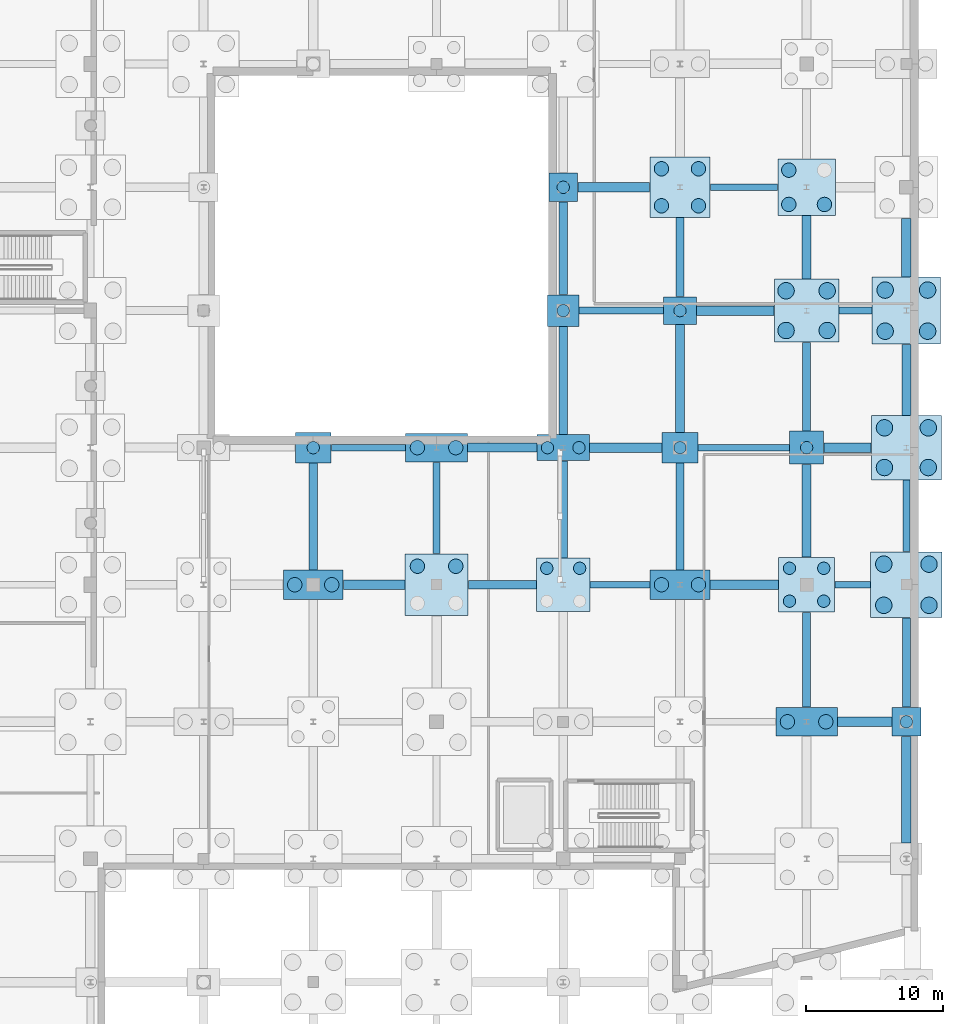
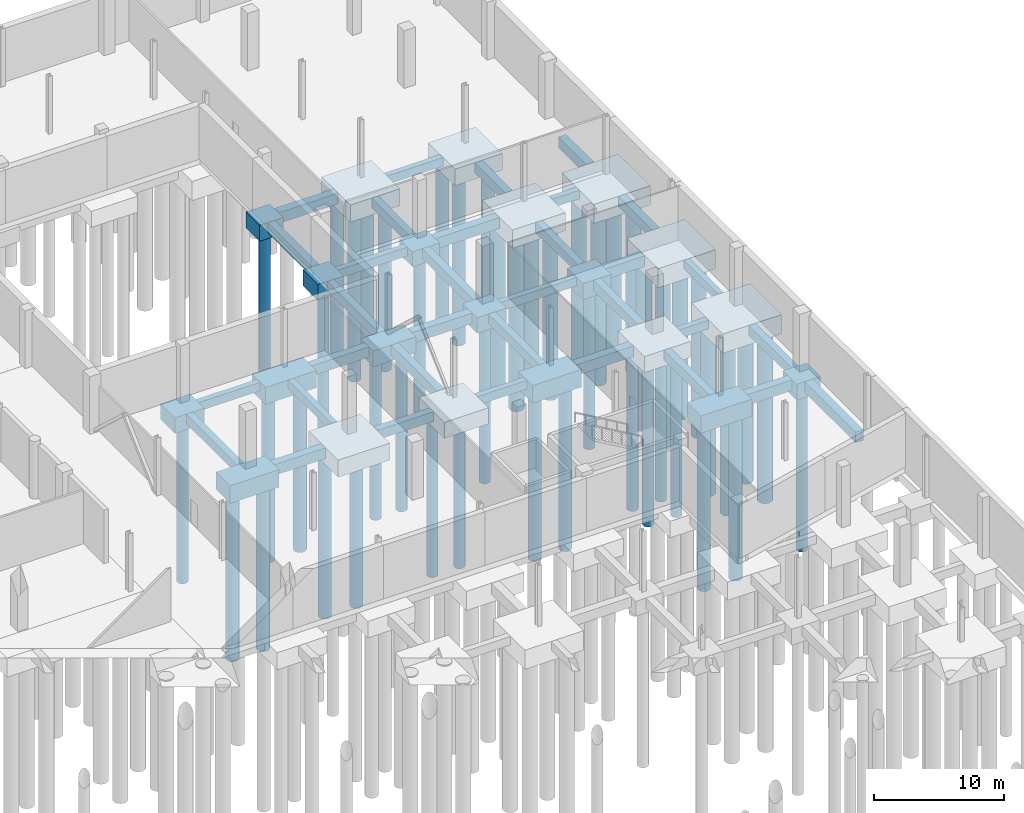
# One storey, part 13 of 60: 54 footings, 48 piles.
"""IFC4 building model written with IfcOpenShell, lengths in metres."""

from ifc_helpers import new_model, si_unit, direction, frame, origin, origin_2d, place, context, subcontext, project, spatial, rectangle, circle, extrude, material, material_profile, profile_set, type_object, element, save


model = new_model("IFC4")

# Units and contexts
model_context = context("Model", 3, precision=1e-05, world=origin(), true_north=direction((0.0, 1.0)))
body_context = subcontext(model_context, "Body", "Model", "MODEL_VIEW")
ifc_project = project(units=[si_unit("LENGTHUNIT", "METRE"), si_unit("AREAUNIT", "SQUARE_METRE"), si_unit("VOLUMEUNIT", "CUBIC_METRE"), si_unit("PLANEANGLEUNIT", "RADIAN"), si_unit("MASSUNIT", "GRAM", prefix="KILO")], contexts=[model_context])

# Site, building, storey
site_placement = place(None, origin())
site = spatial("IfcSite", under=ifc_project, at=site_placement, CompositionType="ELEMENT")
building_placement = place(site_placement, origin())
building = spatial("IfcBuilding", under=site, at=building_placement, Name="Trimount Lyric Opera House", CompositionType="ELEMENT")
storey_placement = place(building_placement, frame((0.0, 0.0, -5.39990234375)))
storey = spatial("IfcBuildingStorey", under=building, at=storey_placement, Name="B1", CompositionType="ELEMENT", Elevation=-5.39990234375)

# Footings
ifc_material_1 = material(Name="Concrete C40/50", Category="concrete")
footing_type_1 = type_object("IfcFootingType", Name="FB-01", PredefinedType="FOOTING_BEAM", material=ifc_material_1)
footing_1_placement = place(storey_placement, frame((134.4375, 64.0, -1.60009765625), z_axis=(0.0, 0.0, 1.0), x_axis=(1.0, 0.0, 0.0)))
element("IfcFooting", 1, at=footing_1_placement, inside=storey, type_object=footing_type_1, Name="Ground tie beam X-0324", PredefinedType="FOOTING_BEAM", context=body_context, shape_type="SweptSolid", body=[
    extrude(rectangle(XDim=4.4951171875, YDim=0.699951171875, at=origin_2d()), origin(), (0.0, 0.0, 1.0), 1.0),
])
footing_2_placement = place(storey_placement, frame((152.800048828125, 74.0, -1.60009765625), z_axis=(0.0, 0.0, 1.0), x_axis=(1.0, 0.0, 0.0)))
element("IfcFooting", 2, at=footing_2_placement, inside=storey, type_object=footing_type_1, Name="Ground tie beam X-0368", PredefinedType="FOOTING_BEAM", context=body_context, shape_type="SweptSolid", body=[
    extrude(rectangle(XDim=5.2900390625, YDim=0.699951171875, at=origin_2d()), origin(), (0.0, 0.0, 1.0), 1.0),
])
footing_3_placement = place(storey_placement, frame((151.925048828125, 93.0, -1.60009765625), z_axis=(0.0, 0.0, 1.0), x_axis=(1.0, 0.0, 0.0)))
element("IfcFooting", 3, at=footing_3_placement, inside=storey, type_object=footing_type_1, Name="Ground tie beam X-0372", PredefinedType="FOOTING_BEAM", context=body_context, shape_type="SweptSolid", body=[
    extrude(rectangle(XDim=5.239990234375, YDim=0.699951171875, at=origin_2d()), origin(), (0.0, 0.0, 1.0), 1.0),
])
footing_4_placement = place(storey_placement, frame((161.4423828125, 64.0, -1.60009765625), z_axis=(0.0, 0.0, 1.0), x_axis=(1.0, 0.0, 0.0)))
element("IfcFooting", 4, at=footing_4_placement, inside=storey, type_object=footing_type_1, Name="Ground tie beam X-0392", PredefinedType="FOOTING_BEAM", context=body_context, shape_type="SweptSolid", body=[
    extrude(rectangle(XDim=4.985107421875, YDim=0.699951171875, at=origin_2d()), origin(), (0.0, 0.0, 1.0), 1.0),
])
footing_5_placement = place(storey_placement, frame((160.804931640625, 84.0, -1.60009765625), z_axis=(0.0, 0.0, 1.0), x_axis=(1.0, 0.0, 0.0)))
element("IfcFooting", 5, at=footing_5_placement, inside=storey, type_object=footing_type_1, Name="Ground tie beam X-0396", PredefinedType="FOOTING_BEAM", context=body_context, shape_type="SweptSolid", body=[
    extrude(rectangle(XDim=5.659912109375, YDim=0.699951171875, at=origin_2d()), origin(), (0.0, 0.0, 1.0), 1.0),
])
footing_6_placement = place(storey_placement, frame((170.239990234375, 54.0, -1.60009765625), z_axis=(0.0, 0.0, 1.0), x_axis=(1.0, 0.0, 0.0)))
element("IfcFooting", 6, at=footing_6_placement, inside=storey, type_object=footing_type_1, Name="Ground tie beam X-0416", PredefinedType="FOOTING_BEAM", context=body_context, shape_type="SweptSolid", body=[
    extrude(rectangle(XDim=3.949951171875, YDim=0.699951171875, at=origin_2d()), origin(), (0.0, 0.0, 1.0), 1.0),
])
footing_7_placement = place(storey_placement, frame((168.989990234375, 74.0, -1.60009765625), z_axis=(0.0, 0.0, 1.0), x_axis=(1.0, 0.0, 0.0)))
element("IfcFooting", 7, at=footing_7_placement, inside=storey, type_object=footing_type_1, Name="Ground tie beam X-0420", PredefinedType="FOOTING_BEAM", context=body_context, shape_type="SweptSolid", body=[
    extrude(rectangle(XDim=3.449951171875, YDim=0.699951171875, at=origin_2d()), origin(), (0.0, 0.0, 1.0), 1.0),
])
footing_8_placement = place(storey_placement, frame((173.280029296875, 49.050048828125, -1.60009765625), z_axis=(0.0, 0.0, 1.0), x_axis=(1.0, 0.0, 0.0)))
element("IfcFooting", 8, at=footing_8_placement, inside=storey, type_object=footing_type_1, Name="Ground tie beam Y-0432", PredefinedType="FOOTING_BEAM", context=body_context, shape_type="SweptSolid", body=[
    extrude(rectangle(XDim=0.699951171875, YDim=7.77001953125, at=origin_2d()), origin(), (0.0, 0.0, 1.0), 1.0),
])
footing_9_placement = place(storey_placement, frame((173.280029296875, 88.60009765625, -1.60009765625), z_axis=(0.0, 0.0, 1.0), x_axis=(1.0, 0.0, 0.0)))
element("IfcFooting", 9, at=footing_9_placement, inside=storey, type_object=footing_type_1, Name="Ground tie beam Y-0436", PredefinedType="FOOTING_BEAM", context=body_context, shape_type="SweptSolid", body=[
    extrude(rectangle(XDim=0.699951171875, YDim=4.27001953125, at=origin_2d()), origin(), (0.0, 0.0, 1.0), 1.0),
])
ifc_material_2 = material(Name="Concrete C40/50", Category="concrete")
footing_type_2 = type_object("IfcFootingType", Name="FB-02", PredefinedType="FOOTING_BEAM", material=ifc_material_2)
footing_10_placement = place(storey_placement, frame((130.0, 68.987548828125, -1.5), z_axis=(0.0, 0.0, 1.0), x_axis=(1.0, 0.0, 0.0)))
element("IfcFooting", 10, at=footing_10_placement, inside=storey, type_object=footing_type_2, Name="Ground tie beam Y-0325", PredefinedType="FOOTING_BEAM", context=body_context, shape_type="SweptSolid", body=[
    extrude(rectangle(XDim=0.60009765625, YDim=7.794921875, at=origin_2d()), origin(), (0.0, 0.0, 1.0), 0.89990234375),
])
footing_11_placement = place(storey_placement, frame((143.794921875, 64.0, -1.5), z_axis=(0.0, 0.0, 1.0), x_axis=(1.0, 0.0, 0.0)))
element("IfcFooting", 11, at=footing_11_placement, inside=storey, type_object=footing_type_2, Name="Ground tie beam X-0345", PredefinedType="FOOTING_BEAM", context=body_context, shape_type="SweptSolid", body=[
    extrude(rectangle(XDim=4.9599609375, YDim=0.60009765625, at=origin_2d()), origin(), (0.0, 0.0, 1.0), 0.89990234375),
])
footing_12_placement = place(storey_placement, frame((148.239990234375, 78.89990234375, -1.5), z_axis=(0.0, 0.0, 1.0), x_axis=(1.0, 0.0, 0.0)))
element("IfcFooting", 12, at=footing_12_placement, inside=storey, type_object=footing_type_2, Name="Ground tie beam Y-0369", PredefinedType="FOOTING_BEAM", context=body_context, shape_type="SweptSolid", body=[
    extrude(rectangle(XDim=0.60009765625, YDim=7.8701171875, at=origin_2d()), origin(), (0.0, 0.0, 1.0), 0.89990234375),
])
footing_13_placement = place(storey_placement, frame((156.760009765625, 68.987548828125, -1.5), z_axis=(0.0, 0.0, 1.0), x_axis=(1.0, 0.0, 0.0)))
element("IfcFooting", 13, at=footing_13_placement, inside=storey, type_object=footing_type_2, Name="Ground tie beam Y-0393", PredefinedType="FOOTING_BEAM", context=body_context, shape_type="SweptSolid", body=[
    extrude(rectangle(XDim=0.60009765625, YDim=7.794921875, at=origin_2d()), origin(), (0.0, 0.0, 1.0), 0.89990234375),
])
footing_14_placement = place(storey_placement, frame((156.760009765625, 87.89990234375, -1.5), z_axis=(0.0, 0.0, 1.0), x_axis=(1.0, 0.0, 0.0)))
element("IfcFooting", 14, at=footing_14_placement, inside=storey, type_object=footing_type_2, Name="Ground tie beam Y-0397", PredefinedType="FOOTING_BEAM", context=body_context, shape_type="SweptSolid", body=[
    extrude(rectangle(XDim=0.60009765625, YDim=5.77001953125, at=origin_2d()), origin(), (0.0, 0.0, 1.0), 0.89990234375),
])
footing_15_placement = place(storey_placement, frame((166.0, 58.52490234375, -1.5), z_axis=(0.0, 0.0, 1.0), x_axis=(1.0, 0.0, 0.0)))
element("IfcFooting", 15, at=footing_15_placement, inside=storey, type_object=footing_type_2, Name="Ground tie beam Y-0417", PredefinedType="FOOTING_BEAM", context=body_context, shape_type="SweptSolid", body=[
    extrude(rectangle(XDim=0.60009765625, YDim=6.919921875, at=origin_2d()), origin(), (0.0, 0.0, 1.0), 0.89990234375),
])
footing_16_placement = place(storey_placement, frame((166.0, 78.449951171875, -1.5), z_axis=(0.0, 0.0, 1.0), x_axis=(1.0, 0.0, 0.0)))
element("IfcFooting", 16, at=footing_16_placement, inside=storey, type_object=footing_type_2, Name="Ground tie beam Y-0421", PredefinedType="FOOTING_BEAM", context=body_context, shape_type="SweptSolid", body=[
    extrude(rectangle(XDim=0.60009765625, YDim=6.469970703125, at=origin_2d()), origin(), (0.0, 0.0, 1.0), 0.89990234375),
])
footing_17_placement = place(storey_placement, frame((173.280029296875, 58.324951171875, -1.5), z_axis=(0.0, 0.0, 1.0), x_axis=(1.0, 0.0, 0.0)))
element("IfcFooting", 17, at=footing_17_placement, inside=storey, type_object=footing_type_2, Name="Ground tie beam Y-0433", PredefinedType="FOOTING_BEAM", context=body_context, shape_type="SweptSolid", body=[
    extrude(rectangle(XDim=0.60009765625, YDim=6.52001953125, at=origin_2d()), origin(), (0.0, 0.0, 1.0), 0.89990234375),
])
ifc_material_3 = material(Name="Concrete C40/50", Category="concrete")
footing_type_3 = type_object("IfcFootingType", Name="FB-03", PredefinedType="FOOTING_BEAM", material=ifc_material_3)
footing_18_placement = place(storey_placement, frame((134.02490234375, 74.0, -1.39990234375), z_axis=(0.0, 0.0, 1.0), x_axis=(1.0, 0.0, 0.0)))
element("IfcFooting", 18, at=footing_18_placement, inside=storey, type_object=footing_type_3, Name="Ground tie beam X-0326", PredefinedType="FOOTING_BEAM", context=body_context, shape_type="SweptSolid", body=[
    extrude(rectangle(XDim=5.419921875, YDim=0.5, at=origin_2d()), origin(), (0.0, 0.0, 1.0), 0.800048828125),
])
footing_19_placement = place(storey_placement, frame((139.0, 69.60009765625, -1.39990234375), z_axis=(0.0, 0.0, 1.0), x_axis=(1.0, 0.0, 0.0)))
element("IfcFooting", 19, at=footing_19_placement, inside=storey, type_object=footing_type_3, Name="Ground tie beam Y-0346", PredefinedType="FOOTING_BEAM", context=body_context, shape_type="SweptSolid", body=[
    extrude(rectangle(XDim=0.5, YDim=6.669921875, at=origin_2d()), origin(), (0.0, 0.0, 1.0), 0.800048828125),
])
footing_20_placement = place(storey_placement, frame((152.387451171875, 64.0, -1.39990234375), z_axis=(0.0, 0.0, 1.0), x_axis=(1.0, 0.0, 0.0)))
element("IfcFooting", 20, at=footing_20_placement, inside=storey, type_object=footing_type_3, Name="Ground tie beam X-0366", PredefinedType="FOOTING_BEAM", context=body_context, shape_type="SweptSolid", body=[
    extrude(rectangle(XDim=4.364990234375, YDim=0.5, at=origin_2d()), origin(), (0.0, 0.0, 1.0), 0.800048828125),
])
footing_21_placement = place(storey_placement, frame((152.47509765625, 84.0, -1.39990234375), z_axis=(0.0, 0.0, 1.0), x_axis=(1.0, 0.0, 0.0)))
element("IfcFooting", 21, at=footing_21_placement, inside=storey, type_object=footing_type_3, Name="Ground tie beam X-0370", PredefinedType="FOOTING_BEAM", context=body_context, shape_type="SweptSolid", body=[
    extrude(rectangle(XDim=6.139892578125, YDim=0.5, at=origin_2d()), origin(), (0.0, 0.0, 1.0), 0.800048828125),
])
footing_22_placement = place(storey_placement, frame((161.405029296875, 74.0, -1.39990234375), z_axis=(0.0, 0.0, 1.0), x_axis=(1.0, 0.0, 0.0)))
element("IfcFooting", 22, at=footing_22_placement, inside=storey, type_object=footing_type_3, Name="Ground tie beam X-0394", PredefinedType="FOOTING_BEAM", context=body_context, shape_type="SweptSolid", body=[
    extrude(rectangle(XDim=6.659912109375, YDim=0.5, at=origin_2d()), origin(), (0.0, 0.0, 1.0), 0.800048828125),
])
footing_23_placement = place(storey_placement, frame((161.429931640625, 93.0, -1.39990234375), z_axis=(0.0, 0.0, 1.0), x_axis=(1.0, 0.0, 0.0)))
element("IfcFooting", 23, at=footing_23_placement, inside=storey, type_object=footing_type_3, Name="Ground tie beam X-0398", PredefinedType="FOOTING_BEAM", context=body_context, shape_type="SweptSolid", body=[
    extrude(rectangle(XDim=4.909912109375, YDim=0.5, at=origin_2d()), origin(), (0.0, 0.0, 1.0), 0.800048828125),
])
footing_24_placement = place(storey_placement, frame((169.364990234375, 64.0, -1.39990234375), z_axis=(0.0, 0.0, 1.0), x_axis=(1.0, 0.0, 0.0)))
element("IfcFooting", 24, at=footing_24_placement, inside=storey, type_object=footing_type_3, Name="Ground tie beam X-0418", PredefinedType="FOOTING_BEAM", context=body_context, shape_type="SweptSolid", body=[
    extrude(rectangle(XDim=2.60009765625, YDim=0.5, at=origin_2d()), origin(), (0.0, 0.0, 1.0), 0.800048828125),
])
footing_25_placement = place(storey_placement, frame((169.56494140625, 84.0, -1.39990234375), z_axis=(0.0, 0.0, 1.0), x_axis=(1.0, 0.0, 0.0)))
element("IfcFooting", 25, at=footing_25_placement, inside=storey, type_object=footing_type_3, Name="Ground tie beam X-0422", PredefinedType="FOOTING_BEAM", context=body_context, shape_type="SweptSolid", body=[
    extrude(rectangle(XDim=2.39990234375, YDim=0.5, at=origin_2d()), origin(), (0.0, 0.0, 1.0), 0.800048828125),
])
footing_26_placement = place(storey_placement, frame((173.280029296875, 69.02490234375, -1.39990234375), z_axis=(0.0, 0.0, 1.0), x_axis=(1.0, 0.0, 0.0)))
element("IfcFooting", 26, at=footing_26_placement, inside=storey, type_object=footing_type_3, Name="Ground tie beam Y-0434", PredefinedType="FOOTING_BEAM", context=body_context, shape_type="SweptSolid", body=[
    extrude(rectangle(XDim=0.5, YDim=5.219970703125, at=origin_2d()), origin(), (0.0, 0.0, 1.0), 0.800048828125),
])
ifc_material_4 = material(Name="Concrete C40/50", Category="concrete")
footing_type_4 = type_object("IfcFootingType", Name="FB-04", PredefinedType="FOOTING_BEAM", material=ifc_material_4)
footing_27_placement = place(storey_placement, frame((143.794921875, 74.0, -1.55029296875), z_axis=(0.0, 0.0, 1.0), x_axis=(1.0, 0.0, 0.0)))
element("IfcFooting", 27, at=footing_27_placement, inside=storey, type_object=footing_type_4, Name="Ground tie beam X-0347", PredefinedType="FOOTING_BEAM", context=body_context, shape_type="SweptSolid", body=[
    extrude(rectangle(XDim=5.06005859375, YDim=0.64990234375, at=origin_2d()), origin(), (0.0, 0.0, 1.0), 0.949951171875),
])
footing_28_placement = place(storey_placement, frame((148.239990234375, 69.5, -1.55029296875), z_axis=(0.0, 0.0, 1.0), x_axis=(1.0, 0.0, 0.0)))
element("IfcFooting", 28, at=footing_28_placement, inside=storey, type_object=footing_type_4, Name="Ground tie beam Y-0367", PredefinedType="FOOTING_BEAM", context=body_context, shape_type="SweptSolid", body=[
    extrude(rectangle(XDim=0.64990234375, YDim=7.070068359375, at=origin_2d()), origin(), (0.0, 0.0, 1.0), 0.949951171875),
])
footing_29_placement = place(storey_placement, frame((148.239990234375, 88.550048828125, -1.55029296875), z_axis=(0.0, 0.0, 1.0), x_axis=(1.0, 0.0, 0.0)))
element("IfcFooting", 29, at=footing_29_placement, inside=storey, type_object=footing_type_4, Name="Ground tie beam Y-0371", PredefinedType="FOOTING_BEAM", context=body_context, shape_type="SweptSolid", body=[
    extrude(rectangle(XDim=0.64990234375, YDim=6.77001953125, at=origin_2d()), origin(), (0.0, 0.0, 1.0), 0.949951171875),
])
footing_30_placement = place(storey_placement, frame((156.760009765625, 79.050048828125, -1.55029296875), z_axis=(0.0, 0.0, 1.0), x_axis=(1.0, 0.0, 0.0)))
element("IfcFooting", 30, at=footing_30_placement, inside=storey, type_object=footing_type_4, Name="Ground tie beam Y-0395", PredefinedType="FOOTING_BEAM", context=body_context, shape_type="SweptSolid", body=[
    extrude(rectangle(XDim=0.64990234375, YDim=7.8701171875, at=origin_2d()), origin(), (0.0, 0.0, 1.0), 0.949951171875),
])
footing_31_placement = place(storey_placement, frame((166.0, 69.39990234375, -1.55029296875), z_axis=(0.0, 0.0, 1.0), x_axis=(1.0, 0.0, 0.0)))
element("IfcFooting", 31, at=footing_31_placement, inside=storey, type_object=footing_type_4, Name="Ground tie beam Y-0419", PredefinedType="FOOTING_BEAM", context=body_context, shape_type="SweptSolid", body=[
    extrude(rectangle(XDim=0.64990234375, YDim=6.77001953125, at=origin_2d()), origin(), (0.0, 0.0, 1.0), 0.949951171875),
])
footing_32_placement = place(storey_placement, frame((166.0, 88.625, -1.55029296875), z_axis=(0.0, 0.0, 1.0), x_axis=(1.0, 0.0, 0.0)))
element("IfcFooting", 32, at=footing_32_placement, inside=storey, type_object=footing_type_4, Name="Ground tie beam Y-0423", PredefinedType="FOOTING_BEAM", context=body_context, shape_type="SweptSolid", body=[
    extrude(rectangle(XDim=0.64990234375, YDim=4.6201171875, at=origin_2d()), origin(), (0.0, 0.0, 1.0), 0.949951171875),
])
footing_33_placement = place(storey_placement, frame((173.280029296875, 78.949951171875, -1.55029296875), z_axis=(0.0, 0.0, 1.0), x_axis=(1.0, 0.0, 0.0)))
element("IfcFooting", 33, at=footing_33_placement, inside=storey, type_object=footing_type_4, Name="Ground tie beam Y-0435", PredefinedType="FOOTING_BEAM", context=body_context, shape_type="SweptSolid", body=[
    extrude(rectangle(XDim=0.64990234375, YDim=5.169921875, at=origin_2d()), origin(), (0.0, 0.0, 1.0), 0.949951171875),
])
ifc_material_5 = material(Name="Concrete C40/50", Category="concrete")
footing_type_5 = type_object("IfcFootingType", Name="PC-04", PredefinedType="PILE_CAP", material=ifc_material_5)
footing_34_placement = place(storey_placement, frame((156.760009765625, 93.0, -2.2001953125), z_axis=(0.0, 0.0, 1.0), x_axis=(1.0, 0.0, 0.0)))
element("IfcFooting", 34, at=footing_34_placement, inside=storey, type_object=footing_type_5, Name="Pile cap 18/L", PredefinedType="PILE_CAP", context=body_context, shape_type="SweptSolid", body=[
    extrude(rectangle(XDim=4.39990234375, YDim=4.39990234375, at=origin_2d()), origin(), (0.0, 0.0, 1.0), 1.60009765625),
])
ifc_material_6 = material(Name="Concrete C40/50", Category="concrete")
footing_type_6 = type_object("IfcFootingType", Name="PC-06", PredefinedType="PILE_CAP", material=ifc_material_6)
footing_35_placement = place(storey_placement, frame((148.239990234375, 64.0, -2.10009765625), z_axis=(0.0, 0.0, 1.0), x_axis=(1.0, 0.0, 0.0)))
element("IfcFooting", 35, at=footing_35_placement, inside=storey, type_object=footing_type_6, Name="Pile cap 17/H", PredefinedType="PILE_CAP", context=body_context, shape_type="SweptSolid", body=[
    extrude(rectangle(XDim=3.89990234375, YDim=3.89990234375, at=origin_2d()), origin(), (0.0, 0.0, 1.0), 1.5),
])
ifc_material_7 = material(Name="Concrete C40/50", Category="concrete")
footing_type_7 = type_object("IfcFootingType", Name="PC-07", PredefinedType="PILE_CAP", material=ifc_material_7)
footing_36_placement = place(storey_placement, frame((148.239990234375, 74.0, -2.10009765625), z_axis=(0.0, 0.0, 1.0), x_axis=(1.0, 0.0, 0.0)))
element("IfcFooting", 36, at=footing_36_placement, inside=storey, type_object=footing_type_7, Name="Pile cap 17/J", PredefinedType="PILE_CAP", context=body_context, shape_type="SweptSolid", body=[
    extrude(rectangle(XDim=3.800048828125, YDim=1.89990234375, at=origin_2d()), origin(), (0.0, 0.0, 1.0), 1.5),
])
ifc_material_8 = material(Name="Concrete C40/50", Category="concrete")
footing_type_8 = type_object("IfcFootingType", Name="PC-08", PredefinedType="PILE_CAP", material=ifc_material_8)
footing_37_placement = place(storey_placement, frame((148.239990234375, 84.0, -2.10009765625), z_axis=(0.0, 0.0, 1.0), x_axis=(1.0, 0.0, 0.0)))
element("IfcFooting", 37, at=footing_37_placement, inside=storey, type_object=footing_type_8, Name="Pile cap 17/K", PredefinedType="PILE_CAP", context=body_context, shape_type="SweptSolid", body=[
    extrude(rectangle(XDim=2.300048828125, YDim=2.300048828125, at=origin_2d()), origin(), (0.0, 0.0, 1.0), 1.5),
])
ifc_material_9 = material(Name="Concrete C40/50", Category="concrete")
footing_type_9 = type_object("IfcFootingType", Name="PC-09", PredefinedType="PILE_CAP", material=ifc_material_9)
for number, where, z_axis, x_axis, name in (
    (38, (148.239990234375, 93.0, -2.10009765625), (0.0, 0.0, 1.0), (1.0, 0.0, 0.0), "Pile cap 17/L"),
    (39, (173.280029296875, 54.0, -2.10009765625), (0.0, 0.0, 1.0), (1.0, 0.0, 0.0), "Pile cap 20/G"),
):
    element("IfcFooting", number, at=place(storey_placement, frame(where, z_axis=z_axis, x_axis=x_axis)), inside=storey, type_object=footing_type_9, Name=name, PredefinedType="PILE_CAP", context=body_context, shape_type="SweptSolid", body=[
        extrude(rectangle(XDim=2.10009765625, YDim=2.10009765625, at=origin_2d()), origin(), (0.0, 0.0, 1.0), 1.5),
    ])
ifc_material_10 = material(Name="Concrete C40/50", Category="concrete")
footing_type_10 = type_object("IfcFootingType", Name="PC-10", PredefinedType="PILE_CAP", material=ifc_material_10)
footing_38_placement = place(storey_placement, frame((173.280029296875, 64.0, -2.39990234375), z_axis=(0.0, 0.0, 1.0), x_axis=(1.0, 0.0, 0.0)))
element("IfcFooting", 40, at=footing_38_placement, inside=storey, type_object=footing_type_10, Name="Pile cap 20/H", PredefinedType="PILE_CAP", context=body_context, shape_type="SweptSolid", body=[
    extrude(rectangle(XDim=5.199951171875, YDim=4.800048828125, at=origin_2d()), origin(), (0.0, 0.0, 1.0), 1.800048828125),
])
ifc_material_11 = material(Name="Concrete C40/50", Category="concrete")
footing_type_11 = type_object("IfcFootingType", Name="PC-11", PredefinedType="PILE_CAP", material=ifc_material_11)
footing_39_placement = place(storey_placement, frame((173.280029296875, 74.0, -2.39990234375), z_axis=(0.0, 0.0, 1.0), x_axis=(1.0, 0.0, 0.0)))
element("IfcFooting", 41, at=footing_39_placement, inside=storey, type_object=footing_type_11, Name="Pile cap 20/J", PredefinedType="PILE_CAP", context=body_context, shape_type="SweptSolid", body=[
    extrude(rectangle(XDim=5.10009765625, YDim=4.699951171875, at=origin_2d()), origin(), (0.0, 0.0, 1.0), 1.800048828125),
])
ifc_material_12 = material(Name="Concrete C40/50", Category="concrete")
footing_type_12 = type_object("IfcFootingType", Name="PC-12", PredefinedType="PILE_CAP", material=ifc_material_12)
footing_40_placement = place(storey_placement, frame((173.280029296875, 84.0, -2.39990234375), z_axis=(0.0, 0.0, 1.0), x_axis=(1.0, 0.0, 0.0)))
element("IfcFooting", 42, at=footing_40_placement, inside=storey, type_object=footing_type_12, Name="Pile cap 20/K", PredefinedType="PILE_CAP", context=body_context, shape_type="SweptSolid", body=[
    extrude(rectangle(XDim=5.0, YDim=4.89990234375, at=origin_2d()), origin(), (0.0, 0.0, 1.0), 1.800048828125),
])
ifc_material_13 = material(Name="Concrete C40/50", Category="concrete")
footing_type_13 = type_object("IfcFootingType", Name="PC-13", PredefinedType="PILE_CAP", material=ifc_material_13)
footing_41_placement = place(storey_placement, frame((139.0, 64.0, -2.2001953125), z_axis=(0.0, 0.0, 1.0), x_axis=(1.0, 0.0, 0.0)))
element("IfcFooting", 43, at=footing_41_placement, inside=storey, type_object=footing_type_13, Name="Pile cap 16/H", PredefinedType="PILE_CAP", context=body_context, shape_type="SweptSolid", body=[
    extrude(rectangle(XDim=4.60009765625, YDim=4.5, at=origin_2d()), origin(), (0.0, 0.0, 1.0), 1.60009765625),
])
ifc_material_14 = material(Name="Concrete C40/50", Category="concrete")
footing_type_14 = type_object("IfcFootingType", Name="PC-14", PredefinedType="PILE_CAP", material=ifc_material_14)
for number, where, z_axis, x_axis, name in (
    (44, (139.0, 74.0, -2.2001953125), (0.0, 0.0, 1.0), (1.0, 0.0, 0.0), "Pile cap 16/J"),
    (45, (166.0, 54.0, -2.2001953125), (0.0, 0.0, 1.0), (1.0, 0.0, 0.0), "Pile cap 19/G"),
):
    element("IfcFooting", number, at=place(storey_placement, frame(where, z_axis=z_axis, x_axis=x_axis)), inside=storey, type_object=footing_type_14, Name=name, PredefinedType="PILE_CAP", context=body_context, shape_type="SweptSolid", body=[
        extrude(rectangle(XDim=4.5, YDim=2.10009765625, at=origin_2d()), origin(), (0.0, 0.0, 1.0), 1.60009765625),
    ])
ifc_material_15 = material(Name="Concrete C40/50", Category="concrete")
footing_type_15 = type_object("IfcFootingType", Name="PC-15", PredefinedType="PILE_CAP", material=ifc_material_15)
footing_42_placement = place(storey_placement, frame((166.0, 64.0, -2.10009765625), z_axis=(0.0, 0.0, 1.0), x_axis=(1.0, 0.0, 0.0)))
element("IfcFooting", 46, at=footing_42_placement, inside=storey, type_object=footing_type_15, Name="Pile cap 19/H", PredefinedType="PILE_CAP", context=body_context, shape_type="SweptSolid", body=[
    extrude(rectangle(XDim=4.10009765625, YDim=4.0, at=origin_2d()), origin(), (0.0, 0.0, 1.0), 1.5),
])
ifc_material_16 = material(Name="Concrete C40/50", Category="concrete")
footing_type_16 = type_object("IfcFootingType", Name="PC-16", PredefinedType="PILE_CAP", material=ifc_material_16)
footing_43_placement = place(storey_placement, frame((166.0, 74.0, -2.10009765625), z_axis=(0.0, 0.0, 1.0), x_axis=(1.0, 0.0, 0.0)))
element("IfcFooting", 47, at=footing_43_placement, inside=storey, type_object=footing_type_16, Name="Pile cap 19/J", PredefinedType="PILE_CAP", context=body_context, shape_type="SweptSolid", body=[
    extrude(rectangle(XDim=2.5, YDim=2.39990234375, at=origin_2d()), origin(), (0.0, 0.0, 1.0), 1.5),
])
ifc_material_17 = material(Name="Concrete C40/50", Category="concrete")
footing_type_17 = type_object("IfcFootingType", Name="PC-17", PredefinedType="PILE_CAP", material=ifc_material_17)
footing_44_placement = place(storey_placement, frame((166.0, 84.0, -2.30029296875), z_axis=(0.0, 0.0, 1.0), x_axis=(1.0, 0.0, 0.0)))
element("IfcFooting", 48, at=footing_44_placement, inside=storey, type_object=footing_type_17, Name="Pile cap 19/K", PredefinedType="PILE_CAP", context=body_context, shape_type="SweptSolid", body=[
    extrude(rectangle(XDim=4.699951171875, YDim=4.60009765625, at=origin_2d()), origin(), (0.0, 0.0, 1.0), 1.699951171875),
])
ifc_material_18 = material(Name="Concrete C40/50", Category="concrete")
footing_type_18 = type_object("IfcFootingType", Name="PC-18", PredefinedType="PILE_CAP", material=ifc_material_18)
footing_45_placement = place(storey_placement, frame((166.0, 93.0, -2.14990234375), z_axis=(0.0, 0.0, 1.0), x_axis=(1.0, 0.0, 0.0)))
element("IfcFooting", 49, at=footing_45_placement, inside=storey, type_object=footing_type_18, Name="Pile cap 19/L", PredefinedType="PILE_CAP", context=body_context, shape_type="SweptSolid", body=[
    extrude(rectangle(XDim=4.199951171875, YDim=4.10009765625, at=origin_2d()), origin(), (0.0, 0.0, 1.0), 1.550048828125),
])
ifc_material_19 = material(Name="Concrete C40/50", Category="concrete")
footing_type_19 = type_object("IfcFootingType", Name="PC-20", PredefinedType="PILE_CAP", material=ifc_material_19)
for number, where, z_axis, x_axis, name in (
    (50, (130.0, 64.0, -2.25), (0.0, 0.0, 1.0), (1.0, 0.0, 0.0), "Pile cap 15/H"),
    (51, (156.760009765625, 64.0, -2.25), (0.0, 0.0, 1.0), (1.0, 0.0, 0.0), "Pile cap 18/H"),
):
    element("IfcFooting", number, at=place(storey_placement, frame(where, z_axis=z_axis, x_axis=x_axis)), inside=storey, type_object=footing_type_19, Name=name, PredefinedType="PILE_CAP", context=body_context, shape_type="SweptSolid", body=[
        extrude(rectangle(XDim=4.35009765625, YDim=2.14990234375, at=origin_2d()), origin(), (0.0, 0.0, 1.0), 1.64990234375),
    ])
ifc_material_20 = material(Name="Concrete C40/50", Category="concrete")
footing_type_20 = type_object("IfcFootingType", Name="PC-21", PredefinedType="PILE_CAP", material=ifc_material_20)
for number, where, z_axis, x_axis, name in (
    (52, (130.0, 74.0, -2.05029296875), (0.0, 0.0, 1.0), (1.0, 0.0, 0.0), "Pile cap 15/J"),
    (53, (156.760009765625, 74.0, -2.05029296875), (0.0, 0.0, 1.0), (1.0, 0.0, 0.0), "Pile cap 18/J"),
):
    element("IfcFooting", number, at=place(storey_placement, frame(where, z_axis=z_axis, x_axis=x_axis)), inside=storey, type_object=footing_type_20, Name=name, PredefinedType="PILE_CAP", context=body_context, shape_type="SweptSolid", body=[
        extrude(rectangle(XDim=2.60009765625, YDim=2.199951171875, at=origin_2d()), origin(), (0.0, 0.0, 1.0), 1.449951171875),
    ])
ifc_material_21 = material(Name="Concrete C40/50", Category="concrete")
footing_type_21 = type_object("IfcFootingType", Name="PC-22", PredefinedType="PILE_CAP", material=ifc_material_21)
footing_46_placement = place(storey_placement, frame((156.760009765625, 84.0, -2.0), z_axis=(0.0, 0.0, 1.0), x_axis=(1.0, 0.0, 0.0)))
element("IfcFooting", 54, at=footing_46_placement, inside=storey, type_object=footing_type_21, Name="Pile cap 18/K", PredefinedType="PILE_CAP", context=body_context, shape_type="SweptSolid", body=[
    extrude(rectangle(XDim=2.39990234375, YDim=2.0, at=origin_2d()), origin(), (0.0, 0.0, 1.0), 1.39990234375),
])

# Piles
ifc_material_22 = material(Name="Concrete C40/50", Category="concrete")
ifc_material_profile_1 = material_profile(ifc_material_22, circle(Radius=0.52490234375, at=origin_2d()), Name="PILE-D1050")
ifc_profile_set_1 = profile_set([ifc_material_profile_1], Name="Concrete C40/50")
pile_type_1 = type_object("IfcPileType", Name="PL-1050", PredefinedType="BORED", material=ifc_profile_set_1)
for number, where, z_axis, x_axis, name in (
    (55, (128.64990234375, 64.0, -2.150146484375), (0.0, 0.0, -1.0), (1.0, 0.0, 0.0), "Bored pile 0561"),
    (56, (131.35009765625, 64.0, -2.150146484375), (0.0, 0.0, -1.0), (1.0, 0.0, 0.0), "Bored pile 0562"),
    (57, (137.60009765625, 65.35009765625, -2.10009765625), (0.0, 0.0, -1.0), (1.0, 0.0, 0.0), "Bored pile 0593"),
    (58, (140.39990234375, 65.35009765625, -2.10009765625), (0.0, 0.0, -1.0), (1.0, 0.0, 0.0), "Bored pile 0594"),
    (59, (137.60009765625, 74.0, -2.10009765625), (0.0, 0.0, -1.0), (1.0, 0.0, 0.0), "Bored pile 0595"),
    (60, (140.39990234375, 74.0, -2.10009765625), (0.0, 0.0, -1.0), (1.0, 0.0, 0.0), "Bored pile 0596"),
    (61, (155.409912109375, 64.0, -2.150146484375), (0.0, 0.0, -1.0), (1.0, 0.0, 0.0), "Bored pile 0667"),
    (62, (158.110107421875, 64.0, -2.150146484375), (0.0, 0.0, -1.0), (1.0, 0.0, 0.0), "Bored pile 0668"),
    (63, (155.409912109375, 91.64990234375, -2.10009765625), (0.0, 0.0, -1.0), (1.0, 0.0, 0.0), "Bored pile 0671"),
    (64, (158.110107421875, 91.64990234375, -2.10009765625), (0.0, 0.0, -1.0), (1.0, 0.0, 0.0), "Bored pile 0672"),
    (65, (155.409912109375, 94.35009765625, -2.10009765625), (0.0, 0.0, -1.0), (1.0, 0.0, 0.0), "Bored pile 0673"),
    (66, (158.110107421875, 94.35009765625, -2.10009765625), (0.0, 0.0, -1.0), (1.0, 0.0, 0.0), "Bored pile 0674"),
    (67, (164.60009765625, 54.0, -2.10009765625), (0.0, 0.0, -1.0), (1.0, 0.0, 0.0), "Bored pile 0701"),
    (68, (167.39990234375, 54.0, -2.10009765625), (0.0, 0.0, -1.0), (1.0, 0.0, 0.0), "Bored pile 0702"),
    (69, (164.699951171875, 91.75, -2.050048828125), (0.0, 0.0, -1.0), (1.0, 0.0, 0.0), "Bored pile 0712"),
    (70, (167.300048828125, 91.75, -2.050048828125), (0.0, 0.0, -1.0), (1.0, 0.0, 0.0), "Bored pile 0713"),
    (71, (164.699951171875, 94.25, -2.050048828125), (0.0, 0.0, -1.0), (1.0, 0.0, 0.0), "Bored pile 0714"),
):
    element("IfcPile", number, at=place(storey_placement, frame(where, z_axis=z_axis, x_axis=x_axis)), inside=storey, type_object=pile_type_1, Name=name, PredefinedType="BORED", context=body_context, shape_type="SweptSolid", body=[
        extrude(circle(Radius=0.52490234375, at=origin_2d()), origin(), (0.0, 0.0, 1.0), 15.5),
    ])
ifc_material_23 = material(Name="Concrete C40/50", Category="concrete")
ifc_material_profile_2 = material_profile(ifc_material_23, circle(Radius=0.60009765625, at=origin_2d()), Name="PILE-D1200")
ifc_profile_set_2 = profile_set([ifc_material_profile_2], Name="Concrete C40/50")
pile_type_2 = type_object("IfcPileType", Name="PL-1200", PredefinedType="BORED", material=ifc_profile_set_2)
for number, where, z_axis, x_axis, name in (
    (72, (164.5, 82.550048828125, -2.2001953125), (0.0, 0.0, -1.0), (1.0, 0.0, 0.0), "Bored pile 0708"),
    (73, (167.5, 82.550048828125, -2.2001953125), (0.0, 0.0, -1.0), (1.0, 0.0, 0.0), "Bored pile 0709"),
    (74, (164.5, 85.449951171875, -2.2001953125), (0.0, 0.0, -1.0), (1.0, 0.0, 0.0), "Bored pile 0710"),
    (75, (167.5, 85.449951171875, -2.2001953125), (0.0, 0.0, -1.0), (1.0, 0.0, 0.0), "Bored pile 0711"),
    (76, (171.6298828125, 62.5, -2.300048828125), (0.0, 0.0, -1.0), (1.0, 0.0, 0.0), "Bored pile 0738"),
    (77, (174.929931640625, 62.5, -2.300048828125), (0.0, 0.0, -1.0), (1.0, 0.0, 0.0), "Bored pile 0739"),
    (78, (171.6298828125, 65.5, -2.300048828125), (0.0, 0.0, -1.0), (1.0, 0.0, 0.0), "Bored pile 0740"),
    (79, (174.929931640625, 65.5, -2.300048828125), (0.0, 0.0, -1.0), (1.0, 0.0, 0.0), "Bored pile 0741"),
    (80, (171.679931640625, 72.550048828125, -2.300048828125), (0.0, 0.0, -1.0), (1.0, 0.0, 0.0), "Bored pile 0742"),
    (81, (174.8798828125, 72.550048828125, -2.300048828125), (0.0, 0.0, -1.0), (1.0, 0.0, 0.0), "Bored pile 0743"),
    (82, (171.679931640625, 75.449951171875, -2.300048828125), (0.0, 0.0, -1.0), (1.0, 0.0, 0.0), "Bored pile 0744"),
    (83, (174.8798828125, 75.449951171875, -2.300048828125), (0.0, 0.0, -1.0), (1.0, 0.0, 0.0), "Bored pile 0745"),
    (84, (171.72998046875, 82.5, -2.300048828125), (0.0, 0.0, -1.0), (1.0, 0.0, 0.0), "Bored pile 0746"),
    (85, (174.830078125, 82.5, -2.300048828125), (0.0, 0.0, -1.0), (1.0, 0.0, 0.0), "Bored pile 0747"),
    (86, (171.72998046875, 85.5, -2.300048828125), (0.0, 0.0, -1.0), (1.0, 0.0, 0.0), "Bored pile 0748"),
    (87, (174.830078125, 85.5, -2.300048828125), (0.0, 0.0, -1.0), (1.0, 0.0, 0.0), "Bored pile 0749"),
):
    element("IfcPile", number, at=place(storey_placement, frame(where, z_axis=z_axis, x_axis=x_axis)), inside=storey, type_object=pile_type_2, Name=name, PredefinedType="BORED", context=body_context, shape_type="SweptSolid", body=[
        extrude(circle(Radius=0.60009765625, at=origin_2d()), origin(), (0.0, 0.0, 1.0), 15.800048828125),
    ])
ifc_material_24 = material(Name="Concrete C40/50", Category="concrete")
ifc_material_profile_3 = material_profile(ifc_material_24, circle(Radius=0.449951171875, at=origin_2d()), Name="PILE-D900")
ifc_profile_set_3 = profile_set([ifc_material_profile_3], Name="Concrete C40/50")
pile_type_3 = type_object("IfcPileType", Name="PL-900", PredefinedType="BORED", material=ifc_profile_set_3)
for number, where, z_axis, x_axis, name in (
    (88, (130.0, 74.0, -1.9501953125), (0.0, 0.0, -1.0), (1.0, 0.0, 0.0), "Bored pile 0563"),
    (89, (147.0400390625, 65.199951171875, -2.0), (0.0, 0.0, -1.0), (1.0, 0.0, 0.0), "Bored pile 0626"),
    (90, (149.43994140625, 65.199951171875, -2.0), (0.0, 0.0, -1.0), (1.0, 0.0, 0.0), "Bored pile 0627"),
    (91, (147.090087890625, 74.0, -2.0), (0.0, 0.0, -1.0), (1.0, 0.0, 0.0), "Bored pile 0628"),
    (92, (149.389892578125, 74.0, -2.0), (0.0, 0.0, -1.0), (1.0, 0.0, 0.0), "Bored pile 0629"),
    (93, (148.239990234375, 84.0, -2.0), (0.0, 0.0, -1.0), (1.0, 0.0, 0.0), "Bored pile 0630"),
    (94, (148.239990234375, 93.0, -2.0), (0.0, 0.0, -1.0), (1.0, 0.0, 0.0), "Bored pile 0631"),
    (95, (156.760009765625, 74.0, -1.9501953125), (0.0, 0.0, -1.0), (1.0, 0.0, 0.0), "Bored pile 0669"),
    (96, (156.760009765625, 84.0, -1.900146484375), (0.0, 0.0, -1.0), (1.0, 0.0, 0.0), "Bored pile 0670"),
    (97, (164.75, 62.800048828125, -2.0), (0.0, 0.0, -1.0), (1.0, 0.0, 0.0), "Bored pile 0703"),
    (98, (167.25, 62.800048828125, -2.0), (0.0, 0.0, -1.0), (1.0, 0.0, 0.0), "Bored pile 0704"),
    (99, (164.75, 65.199951171875, -2.0), (0.0, 0.0, -1.0), (1.0, 0.0, 0.0), "Bored pile 0705"),
    (100, (167.25, 65.199951171875, -2.0), (0.0, 0.0, -1.0), (1.0, 0.0, 0.0), "Bored pile 0706"),
    (101, (166.0, 74.0, -2.0), (0.0, 0.0, -1.0), (1.0, 0.0, 0.0), "Bored pile 0707"),
    (102, (173.280029296875, 54.0, -2.0), (0.0, 0.0, -1.0), (1.0, 0.0, 0.0), "Bored pile 0737"),
):
    element("IfcPile", number, at=place(storey_placement, frame(where, z_axis=z_axis, x_axis=x_axis)), inside=storey, type_object=pile_type_3, Name=name, PredefinedType="BORED", context=body_context, shape_type="SweptSolid", body=[
        extrude(circle(Radius=0.449951171875, at=origin_2d()), origin(), (0.0, 0.0, 1.0), 15.0),
    ])

save(model, "model.ifc")
